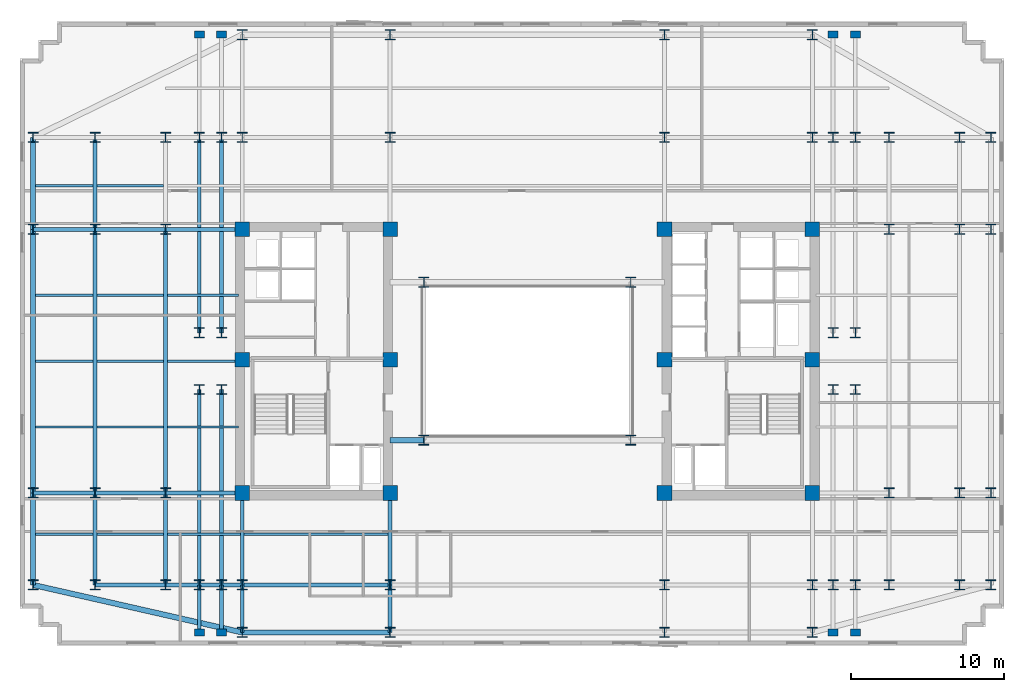
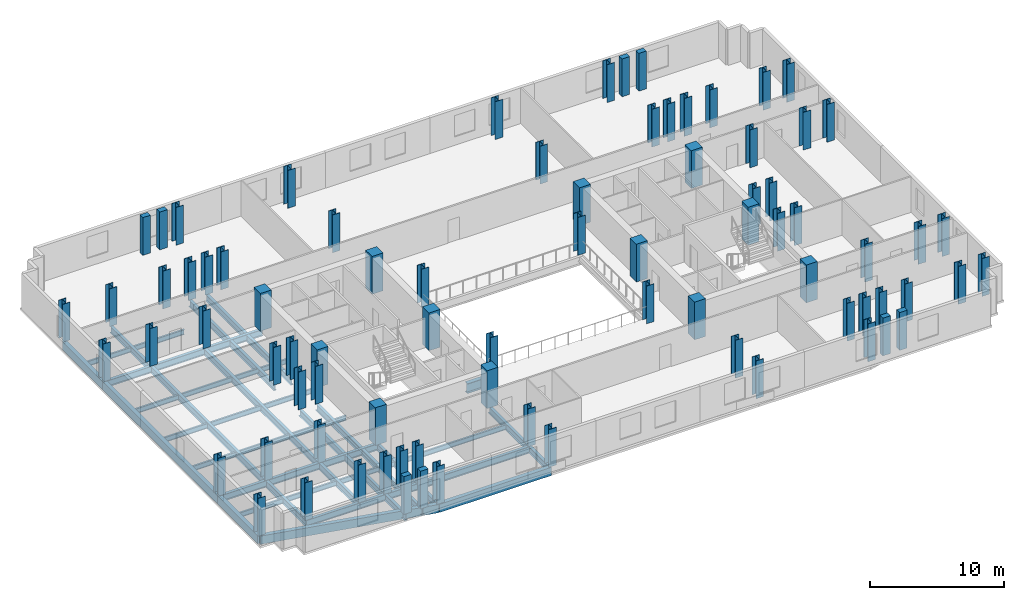
# One storey, part 1 of 10: 80 columns, 45 beams.
"""IFC4 building model written with IfcOpenShell, lengths in metres."""

import ifcopenshell
import ifcopenshell.guid

model = None  # the IFC model being written
_history = None  # IfcOwnerHistory: only IFC2X3 demands one
_inside = {}  # id of a spatial element -> (the spatial element, [elements in it])
_under = {}  # id of a project, library or spatial element -> (it, [spatial elements below it])
_declared = {}  # id of a project -> (the project, [libraries it declares])
_typed = {}  # id of a type object -> (the type object, [elements of that type])
_made_of = {}  # id of a material, layer set ... -> (it, [elements and type objects made of it])


def new_model(schema):
    """Start an empty IFC model of exactly this schema.

    Asked for "IFC4X3", IfcOpenShell would pick the latest addendum, in which some entities
    have other attributes; the version numbers below select the first issue.
    IFC2X3 requires an IfcOwnerHistory on every rooted entity: one is made here for all.
    """
    global model, _history
    if schema == "IFC4X3":
        model = ifcopenshell.file(schema_version=(4, 3, 0, 0))
    else:
        model = ifcopenshell.file(schema=schema)
    _inside.clear()
    _under.clear()
    _declared.clear()
    _typed.clear()
    _made_of.clear()
    _history = None
    if model.schema == "IFC2X3":
        org = make("IfcOrganization", Name="unknown")
        user = make(
            "IfcPersonAndOrganization",
            ThePerson=make("IfcPerson", FamilyName="unknown"),
            TheOrganization=org,
        )
        app = make(
            "IfcApplication",
            ApplicationDeveloper=org,
            Version="unknown",
            ApplicationFullName="unknown",
            ApplicationIdentifier="unknown",
        )
        _history = make(
            "IfcOwnerHistory",
            OwningUser=user,
            OwningApplication=app,
            ChangeAction="ADDED",
            CreationDate=0,
        )
    return model


def make(cls, **values):
    """One entity of the class cls with the attributes given. An attribute that is None is left unset."""
    return model.create_entity(
        cls, **{name: value for name, value in values.items() if value is not None}
    )


def rooted(cls, **values):
    """An entity with a GlobalId (a new one), such as an element, a storey or a relation."""
    return make(cls, GlobalId=ifcopenshell.guid.new(), OwnerHistory=_history, **values)


def si_unit(unit_type, name, prefix=None):
    """IfcSIUnit, for example si_unit("LENGTHUNIT", "METRE", prefix="MILLI")."""
    return make("IfcSIUnit", UnitType=unit_type, Prefix=prefix, Name=name)


def assignment(units):
    """IfcUnitAssignment: the units of a project."""
    return None if units is None else make("IfcUnitAssignment", Units=units)


def point(xyz):
    """IfcCartesianPoint."""
    return None if xyz is None else make("IfcCartesianPoint", Coordinates=xyz)


def direction(xyz):
    """IfcDirection."""
    return None if xyz is None else make("IfcDirection", DirectionRatios=xyz)


def frame(location, z_axis=None, x_axis=None):
    """IfcAxis2Placement3D, a coordinate frame: its origin and axes. An axis left out is left unset."""
    return make(
        "IfcAxis2Placement3D",
        Location=point(location),
        Axis=direction(z_axis),
        RefDirection=direction(x_axis),
    )


def frame_2d(location, x_axis=None):
    """IfcAxis2Placement2D, a coordinate frame in the plane: its origin and x axis."""
    return make(
        "IfcAxis2Placement2D", Location=point(location), RefDirection=direction(x_axis)
    )


def origin():
    """The frame at (0, 0, 0) with its axes left unset."""
    return frame((0.0, 0.0, 0.0))


def origin_2d():
    """The frame at (0, 0) in the plane with its x axis left unset."""
    return frame_2d((0.0, 0.0))


def place(relative_to, where):
    """IfcLocalPlacement: puts the frame where relative to a parent placement (None: the world)."""
    return make(
        "IfcLocalPlacement", PlacementRelTo=relative_to, RelativePlacement=where
    )


def context(
    kind, dimensions, precision=None, world=None, true_north=None, identifier=None
):
    """IfcGeometricRepresentationContext, for example the 3D "Model" context."""
    return make(
        "IfcGeometricRepresentationContext",
        ContextIdentifier=identifier,
        ContextType=kind,
        CoordinateSpaceDimension=dimensions,
        Precision=precision,
        WorldCoordinateSystem=world,
        TrueNorth=true_north,
    )


def subcontext(parent, identifier, kind, view, scale=None):
    """IfcGeometricRepresentationSubContext, for example "Body" below "Model"."""
    return make(
        "IfcGeometricRepresentationSubContext",
        ContextIdentifier=identifier,
        ContextType=kind,
        ParentContext=parent,
        TargetScale=scale,
        TargetView=view,
    )


def project(units=None, contexts=None):
    """IfcProject with its units and contexts."""
    return rooted(
        "IfcProject",
        Name="project",
        RepresentationContexts=contexts,
        UnitsInContext=assignment(units),
    )


def spatial(cls, under=None, at=None, **own):
    """A site, building, storey or space (cls), placed at a placement, below another one or the project."""
    s = rooted(cls, ObjectPlacement=at, **own)
    if under is not None:
        _under.setdefault(under.id(), (under, []))[1].append(s)
    return s


def profile(cls, at=None, kind="AREA", **sizes):
    """A parametric profile (cls). Its sizes go by their IFC names, for example OverallWidth=200.0."""
    return make(cls, ProfileType=kind, Position=at, **sizes)


def rectangle(**sizes):
    """IfcRectangleProfileDef."""
    return profile("IfcRectangleProfileDef", **sizes)


def i_section(**sizes):
    """IfcIShapeProfileDef."""
    return profile("IfcIShapeProfileDef", **sizes)


def extrude(swept, where, along, depth):
    """IfcExtrudedAreaSolid: the profile swept, set in the frame where, extruded along a direction by depth."""
    return make(
        "IfcExtrudedAreaSolid",
        SweptArea=swept,
        Position=where,
        ExtrudedDirection=direction(along),
        Depth=depth,
    )


def shape(context_of_items, identifier, shape_type, items):
    """IfcShapeRepresentation: the items that make up one representation, for example the "Body"."""
    return make(
        "IfcShapeRepresentation",
        ContextOfItems=context_of_items,
        RepresentationIdentifier=identifier,
        RepresentationType=shape_type,
        Items=items,
    )


def material(Name=None, Category=None):
    """IfcMaterial."""
    return make("IfcMaterial", Name=Name, Category=Category)


def material_profile(
    of_material, cross_section, Name=None, Category=None, Priority=None
):
    """IfcMaterialProfile: a cross section and its material."""
    return make(
        "IfcMaterialProfile",
        Name=Name,
        Material=of_material,
        Profile=cross_section,
        Priority=Priority,
        Category=Category,
    )


def profile_set(profiles, Name=None, composite=None):
    """IfcMaterialProfileSet."""
    return make(
        "IfcMaterialProfileSet",
        Name=Name,
        MaterialProfiles=profiles,
        CompositeProfile=composite,
    )


def made_of(thing, what):
    """Note that an element or type object is made of a material, layer set ...; save() writes the relation."""
    if what is not None:
        _made_of.setdefault(what.id(), (what, []))[1].append(thing)
    return thing


def type_object(cls, material=None, **own):
    """A type object (cls), such as IfcWallType, which elements share."""
    return made_of(rooted(cls, **own), material)


def element(
    cls,
    number,
    at=None,
    inside=None,
    cuts=None,
    type_object=None,
    material=None,
    context=None,
    identifier="Body",
    shape_type=None,
    held_by="IfcProductDefinitionShape",
    body=None,
    shapes=None,
    **own,
):
    """One element of the class cls, such as IfcWall. Its Tag is "e" and its number.

    at: its placement. inside: the storey or other place that contains it. cuts: it is an
    opening in that element (IfcRelVoidsElement). A single representation is given by context,
    identifier, shape_type and body (its items); several are given by shapes. held_by: the class
    of the entity that holds the representations. save() writes the other relations.
    """
    e = rooted(cls, Tag="e%d" % number, ObjectPlacement=at, **own)
    if body is not None:
        shapes = [shape(context, identifier, shape_type, body)]
    if shapes is not None:
        e.Representation = make(held_by, Representations=shapes)
    if inside is not None:
        _inside.setdefault(inside.id(), (inside, []))[1].append(e)
    if cuts is not None:
        rooted(
            "IfcRelVoidsElement", RelatingBuildingElement=cuts, RelatedOpeningElement=e
        )
    if type_object is not None:
        _typed.setdefault(type_object.id(), (type_object, []))[1].append(e)
    return made_of(e, material)


def aggregate(whole, parts):
    """IfcRelAggregates: a whole, such as a stair, and the parts it consists of."""
    return rooted("IfcRelAggregates", RelatingObject=whole, RelatedObjects=parts)


def save(model, path):
    """Write the relations noted so far, then the file.

    IfcRelAggregates (storeys below a building ...), IfcRelContainedInSpatialStructure (elements
    in a storey), IfcRelDefinesByType, IfcRelAssociatesMaterial and IfcRelDeclares: one each for
    every whole, place, type object, material and project.
    """
    for whole, parts in _under.values():
        aggregate(whole, parts)
    for where, things in _inside.values():
        rooted(
            "IfcRelContainedInSpatialStructure",
            RelatedElements=things,
            RelatingStructure=where,
        )
    for kind, things in _typed.values():
        rooted("IfcRelDefinesByType", RelatedObjects=things, RelatingType=kind)
    for what, things in _made_of.values():
        rooted("IfcRelAssociatesMaterial", RelatedObjects=things, RelatingMaterial=what)
    for by, libraries in _declared.values():
        rooted("IfcRelDeclares", RelatingContext=by, RelatedDefinitions=libraries)
    model.write(path)


model = new_model("IFC4")

# Units and contexts
model_context = context("Model", 3, precision=1e-05, world=origin(), true_north=direction((0.0, 1.0)))
body_context = subcontext(model_context, "Body", "Model", "MODEL_VIEW")
ifc_project = project(units=[si_unit("LENGTHUNIT", "METRE"), si_unit("AREAUNIT", "SQUARE_METRE"), si_unit("VOLUMEUNIT", "CUBIC_METRE"), si_unit("PLANEANGLEUNIT", "RADIAN"), si_unit("MASSUNIT", "GRAM", prefix="KILO")], contexts=[model_context])

# Site, building, storey
site_placement = place(None, origin())
site = spatial("IfcSite", under=ifc_project, at=site_placement, CompositionType="ELEMENT")
building_placement = place(site_placement, origin())
building = spatial("IfcBuilding", under=site, at=building_placement, Name="Velakula Bourse", CompositionType="ELEMENT")
storey_placement = place(building_placement, frame((0.0, 0.0, 127.75)))
storey = spatial("IfcBuildingStorey", under=building, at=storey_placement, Name="L34", CompositionType="ELEMENT", Elevation=127.75)

# Columns
ifc_material_1 = material(Name="Concrete M70 (fck 70 MPa)", Category="concrete")
ifc_material_profile_1 = material_profile(ifc_material_1, rectangle(XDim=0.949951171875, YDim=0.949951171875, at=origin_2d()), Name="Concrete M70 (fck 70 MPa)")
ifc_profile_set_1 = profile_set([ifc_material_profile_1], Name="Concrete M70 (fck 70 MPa)")
column_type_1 = type_object("IfcColumnType", Name="COL-RC-950", PredefinedType="COLUMN", material=ifc_profile_set_1)
for number, where, z_axis, x_axis, name in (
    (1, (-8.949951171875, -8.60009765625, 0.0), (0.0, 0.0, 1.0), (1.0, 0.0, 0.0), "L34 Core Boundary Column 01"),
    (2, (-8.949951171875, 0.10009765625, 0.0), (0.0, 0.0, 1.0), (1.0, 0.0, 0.0), "L34 Core Boundary Column 02"),
    (3, (-8.949951171875, 8.60009765625, 0.0), (0.0, 0.0, 1.0), (1.0, 0.0, 0.0), "L34 Core Boundary Column 03"),
    (4, (-18.60009765625, -8.60009765625, 0.0), (0.0, 0.0, 1.0), (1.0, 0.0, 0.0), "L34 Core Boundary Column 04"),
    (5, (-18.60009765625, 0.10009765625, 0.0), (0.0, 0.0, 1.0), (1.0, 0.0, 0.0), "L34 Core Boundary Column 05"),
    (6, (-18.60009765625, 8.60009765625, 0.0), (0.0, 0.0, 1.0), (1.0, 0.0, 0.0), "L34 Core Boundary Column 06"),
    (7, (8.949951171875, -8.60009765625, 0.0), (0.0, 0.0, 1.0), (1.0, 0.0, 0.0), "L34 Core Boundary Column 07"),
    (8, (8.949951171875, 0.10009765625, 0.0), (0.0, 0.0, 1.0), (1.0, 0.0, 0.0), "L34 Core Boundary Column 08"),
    (9, (8.949951171875, 8.60009765625, 0.0), (0.0, 0.0, 1.0), (1.0, 0.0, 0.0), "L34 Core Boundary Column 09"),
    (10, (18.60009765625, -8.60009765625, 0.0), (0.0, 0.0, 1.0), (1.0, 0.0, 0.0), "L34 Core Boundary Column 10"),
    (11, (18.60009765625, 0.10009765625, 0.0), (0.0, 0.0, 1.0), (1.0, 0.0, 0.0), "L34 Core Boundary Column 11"),
    (12, (18.60009765625, 8.60009765625, 0.0), (0.0, 0.0, 1.0), (1.0, 0.0, 0.0), "L34 Core Boundary Column 12"),
):
    element("IfcColumn", number, at=place(storey_placement, frame(where, z_axis=z_axis, x_axis=x_axis)), inside=storey, type_object=column_type_1, Name=name, PredefinedType="COLUMN", context=body_context, shape_type="SweptSolid", body=[
        extrude(rectangle(XDim=0.949951171875, YDim=0.949951171875, at=origin_2d()), origin(), (0.0, 0.0, 1.0), 3.449951171875),
    ])
ifc_material_2 = material(Name="Steel IS 2062 Grade 350 (E350)", Category="steel")
ifc_material_profile_2 = material_profile(ifc_material_2, i_section(OverallWidth=0.64990234375, OverallDepth=0.64990234375, WebThickness=0.028076171875, FlangeThickness=0.0400390625, at=origin_2d()), Name="Steel IS 2062 Grade 350 (E350)")
ifc_profile_set_2 = profile_set([ifc_material_profile_2], Name="Steel IS 2062 Grade 350 (E350)")
column_type_2 = type_object("IfcColumnType", Name="COL-STL-650", PredefinedType="COLUMN", material=ifc_profile_set_2)
for number, where, z_axis, x_axis, name in (
    (13, (-6.75, -5.14990234375, 0.0), (0.0, 0.0, 1.0), (1.0, 0.0, 0.0), "L34 Central Spine Column 01"),
    (14, (-6.75, 5.14990234375, 0.0), (0.0, 0.0, 1.0), (1.0, 0.0, 0.0), "L34 Central Spine Column 02"),
    (15, (6.75, -5.14990234375, 0.0), (0.0, 0.0, 1.0), (1.0, 0.0, 0.0), "L34 Central Spine Column 03"),
    (16, (6.75, 5.14990234375, 0.0), (0.0, 0.0, 1.0), (1.0, 0.0, 0.0), "L34 Central Spine Column 04"),
    (17, (-21.39990234375, -14.60009765625, 0.0), (0.0, 0.0, 1.0), (1.0, 0.0, 0.0), "L34 Tower Fulcrum Column 01"),
    (18, (-21.39990234375, 14.60009765625, 0.0), (0.0, 0.0, 1.0), (1.0, 0.0, 0.0), "L34 Tower Fulcrum Column 02"),
    (19, (-19.949951171875, -14.60009765625, 0.0), (0.0, 0.0, 1.0), (1.0, 0.0, 0.0), "L34 Tower Fulcrum Column 03"),
    (20, (-19.949951171875, 14.60009765625, 0.0), (0.0, 0.0, 1.0), (1.0, 0.0, 0.0), "L34 Tower Fulcrum Column 04"),
    (21, (-18.60009765625, -14.60009765625, 0.0), (0.0, 0.0, 1.0), (1.0, 0.0, 0.0), "L34 Tower Fulcrum Column 05"),
    (22, (-18.60009765625, 14.60009765625, 0.0), (0.0, 0.0, 1.0), (1.0, 0.0, 0.0), "L34 Tower Fulcrum Column 06"),
    (23, (-8.949951171875, -14.60009765625, 0.0), (0.0, 0.0, 1.0), (1.0, 0.0, 0.0), "L34 Tower Fulcrum Column 07"),
    (24, (-8.949951171875, 14.60009765625, 0.0), (0.0, 0.0, 1.0), (1.0, 0.0, 0.0), "L34 Tower Fulcrum Column 08"),
    (25, (8.949951171875, -14.60009765625, 0.0), (0.0, 0.0, 1.0), (1.0, 0.0, 0.0), "L34 Tower Fulcrum Column 09"),
    (26, (8.949951171875, 14.60009765625, 0.0), (0.0, 0.0, 1.0), (1.0, 0.0, 0.0), "L34 Tower Fulcrum Column 10"),
    (27, (18.60009765625, -14.60009765625, 0.0), (0.0, 0.0, 1.0), (1.0, 0.0, 0.0), "L34 Tower Fulcrum Column 11"),
    (28, (18.60009765625, 14.60009765625, 0.0), (0.0, 0.0, 1.0), (1.0, 0.0, 0.0), "L34 Tower Fulcrum Column 12"),
    (29, (19.949951171875, -14.60009765625, 0.0), (0.0, 0.0, 1.0), (1.0, 0.0, 0.0), "L34 Tower Fulcrum Column 13"),
    (30, (19.949951171875, 14.60009765625, 0.0), (0.0, 0.0, 1.0), (1.0, 0.0, 0.0), "L34 Tower Fulcrum Column 14"),
    (31, (21.39990234375, -14.60009765625, 0.0), (0.0, 0.0, 1.0), (1.0, 0.0, 0.0), "L34 Tower Fulcrum Column 15"),
    (32, (21.39990234375, 14.60009765625, 0.0), (0.0, 0.0, 1.0), (1.0, 0.0, 0.0), "L34 Tower Fulcrum Column 16"),
    (33, (-21.39990234375, -1.85009765625, 0.0), (0.0, 0.0, 1.0), (1.0, 0.0, 0.0), "L34 Tower Fulcrum Column 17"),
    (34, (-21.39990234375, 1.85009765625, 0.0), (0.0, 0.0, 1.0), (1.0, 0.0, 0.0), "L34 Tower Fulcrum Column 18"),
    (35, (-19.949951171875, -1.85009765625, 0.0), (0.0, 0.0, 1.0), (1.0, 0.0, 0.0), "L34 Tower Fulcrum Column 19"),
    (36, (-19.949951171875, 1.85009765625, 0.0), (0.0, 0.0, 1.0), (1.0, 0.0, 0.0), "L34 Tower Fulcrum Column 20"),
    (37, (19.949951171875, -1.85009765625, 0.0), (0.0, 0.0, 1.0), (1.0, 0.0, 0.0), "L34 Tower Fulcrum Column 21"),
    (38, (19.949951171875, 1.85009765625, 0.0), (0.0, 0.0, 1.0), (1.0, 0.0, 0.0), "L34 Tower Fulcrum Column 22"),
    (39, (21.39990234375, -1.85009765625, 0.0), (0.0, 0.0, 1.0), (1.0, 0.0, 0.0), "L34 Tower Fulcrum Column 23"),
    (40, (21.39990234375, 1.85009765625, 0.0), (0.0, 0.0, 1.0), (1.0, 0.0, 0.0), "L34 Tower Fulcrum Column 24"),
    (41, (-23.60009765625, -14.60009765625, 0.0), (0.0, 0.0, 1.0), (1.0, 0.0, 0.0), "L34 Mid-Wing Plumb Column 01"),
    (42, (-23.60009765625, -8.60009765625, 0.0), (0.0, 0.0, 1.0), (1.0, 0.0, 0.0), "L34 Mid-Wing Plumb Column 02"),
    (43, (-23.60009765625, 8.60009765625, 0.0), (0.0, 0.0, 1.0), (1.0, 0.0, 0.0), "L34 Mid-Wing Plumb Column 03"),
    (44, (-23.60009765625, 14.60009765625, 0.0), (0.0, 0.0, 1.0), (1.0, 0.0, 0.0), "L34 Mid-Wing Plumb Column 04"),
    (45, (23.60009765625, -14.60009765625, 0.0), (0.0, 0.0, 1.0), (1.0, 0.0, 0.0), "L34 Mid-Wing Plumb Column 05"),
    (46, (23.60009765625, -8.60009765625, 0.0), (0.0, 0.0, 1.0), (1.0, 0.0, 0.0), "L34 Mid-Wing Plumb Column 06"),
    (47, (23.60009765625, 8.60009765625, 0.0), (0.0, 0.0, 1.0), (1.0, 0.0, 0.0), "L34 Mid-Wing Plumb Column 07"),
    (48, (23.60009765625, 14.60009765625, 0.0), (0.0, 0.0, 1.0), (1.0, 0.0, 0.0), "L34 Mid-Wing Plumb Column 08"),
    (49, (-28.199951171875, -14.60009765625, 0.0), (0.0, 0.0, 1.0), (1.0, 0.0, 0.0), "L34 Lower Wing Column 01"),
    (50, (-28.199951171875, -8.60009765625, 0.0), (0.0, 0.0, 1.0), (1.0, 0.0, 0.0), "L34 Lower Wing Column 02"),
    (51, (-28.199951171875, 8.60009765625, 0.0), (0.0, 0.0, 1.0), (1.0, 0.0, 0.0), "L34 Lower Wing Column 03"),
    (52, (-28.199951171875, 14.60009765625, 0.0), (0.0, 0.0, 1.0), (1.0, 0.0, 0.0), "L34 Lower Wing Column 04"),
    (53, (28.199951171875, -14.60009765625, 0.0), (0.0, 0.0, 1.0), (1.0, 0.0, 0.0), "L34 Lower Wing Column 05"),
    (54, (28.199951171875, -8.60009765625, 0.0), (0.0, 0.0, 1.0), (1.0, 0.0, 0.0), "L34 Lower Wing Column 06"),
    (55, (28.199951171875, 8.60009765625, 0.0), (0.0, 0.0, 1.0), (1.0, 0.0, 0.0), "L34 Lower Wing Column 07"),
    (56, (28.199951171875, 14.60009765625, 0.0), (0.0, 0.0, 1.0), (1.0, 0.0, 0.0), "L34 Lower Wing Column 08"),
    (57, (-18.60009765625, -17.699951171875, 0.0), (0.0, 0.0, 1.0), (1.0, 0.0, 0.0), "L34 Block B3 Perimeter Column S1"),
    (58, (-8.949951171875, -17.699951171875, 0.0), (0.0, 0.0, 1.0), (1.0, 0.0, 0.0), "L34 Block B3 Perimeter Column S2"),
    (59, (8.949951171875, -17.699951171875, 0.0), (0.0, 0.0, 1.0), (1.0, 0.0, 0.0), "L34 Block B3 Perimeter Column S3"),
    (60, (18.60009765625, -17.699951171875, 0.0), (0.0, 0.0, 1.0), (1.0, 0.0, 0.0), "L34 Block B3 Perimeter Column S4"),
    (61, (-18.60009765625, 21.300048828125, 0.0), (0.0, 0.0, 1.0), (1.0, 0.0, 0.0), "L34 Block B3 Perimeter Column N1"),
    (62, (-8.949951171875, 21.300048828125, 0.0), (0.0, 0.0, 1.0), (1.0, 0.0, 0.0), "L34 Block B3 Perimeter Column N2"),
    (63, (8.949951171875, 21.300048828125, 0.0), (0.0, 0.0, 1.0), (1.0, 0.0, 0.0), "L34 Block B3 Perimeter Column N3"),
    (64, (18.60009765625, 21.300048828125, 0.0), (0.0, 0.0, 1.0), (1.0, 0.0, 0.0), "L34 Block B3 Perimeter Column N4"),
    (65, (-32.25, -14.60009765625, 0.0), (0.0, 0.0, 1.0), (1.0, 0.0, 0.0), "L34 Block B3 Perimeter Column W1"),
    (66, (-32.25, -8.60009765625, 0.0), (0.0, 0.0, 1.0), (1.0, 0.0, 0.0), "L34 Block B3 Perimeter Column W2"),
    (67, (-32.25, 8.60009765625, 0.0), (0.0, 0.0, 1.0), (1.0, 0.0, 0.0), "L34 Block B3 Perimeter Column W3"),
    (68, (-32.25, 14.60009765625, 0.0), (0.0, 0.0, 1.0), (1.0, 0.0, 0.0), "L34 Block B3 Perimeter Column W4"),
    (69, (30.25, -14.60009765625, 0.0), (0.0, 0.0, 1.0), (1.0, 0.0, 0.0), "L34 Block B3 Perimeter Column E1"),
    (70, (30.25, -8.60009765625, 0.0), (0.0, 0.0, 1.0), (1.0, 0.0, 0.0), "L34 Block B3 Perimeter Column E2"),
    (71, (30.25, 8.60009765625, 0.0), (0.0, 0.0, 1.0), (1.0, 0.0, 0.0), "L34 Block B3 Perimeter Column E3"),
    (72, (30.25, 14.60009765625, 0.0), (0.0, 0.0, 1.0), (1.0, 0.0, 0.0), "L34 Block B3 Perimeter Column E4"),
):
    element("IfcColumn", number, at=place(storey_placement, frame(where, z_axis=z_axis, x_axis=x_axis)), inside=storey, type_object=column_type_2, Name=name, PredefinedType="COLUMN", context=body_context, shape_type="SweptSolid", body=[
        extrude(i_section(OverallWidth=0.64990234375, OverallDepth=0.64990234375, WebThickness=0.028076171875, FlangeThickness=0.0400390625, at=origin_2d()), origin(), (0.0, 0.0, 1.0), 3.449951171875),
    ])
ifc_material_3 = material(Name="Precast concrete M45 (fck 45 MPa)", Category="concrete")
ifc_material_profile_3 = material_profile(ifc_material_3, rectangle(XDim=0.64990234375, YDim=0.449951171875, at=origin_2d()), Name="Precast concrete M45 (fck 45 MPa)")
ifc_profile_set_3 = profile_set([ifc_material_profile_3], Name="Precast concrete M45 (fck 45 MPa)")
column_type_3 = type_object("IfcColumnType", Name="PIL-BRICK-650", PredefinedType="PILASTER", material=ifc_profile_set_3)
for number, where, z_axis, x_axis, name in (
    (73, (-21.39990234375, -17.699951171875, 0.0), (0.0, 0.0, 1.0), (1.0, 0.0, 0.0), "L34 Brick Pier Pilaster 01"),
    (74, (-19.949951171875, -17.699951171875, 0.0), (0.0, 0.0, 1.0), (1.0, 0.0, 0.0), "L34 Brick Pier Pilaster 02"),
    (75, (19.949951171875, -17.699951171875, 0.0), (0.0, 0.0, 1.0), (1.0, 0.0, 0.0), "L34 Brick Pier Pilaster 03"),
    (76, (21.39990234375, -17.699951171875, 0.0), (0.0, 0.0, 1.0), (1.0, 0.0, 0.0), "L34 Brick Pier Pilaster 04"),
    (77, (-21.39990234375, 21.300048828125, 0.0), (0.0, 0.0, 1.0), (1.0, 0.0, 0.0), "L34 Brick Pier Pilaster 05"),
    (78, (-19.949951171875, 21.300048828125, 0.0), (0.0, 0.0, 1.0), (1.0, 0.0, 0.0), "L34 Brick Pier Pilaster 06"),
    (79, (19.949951171875, 21.300048828125, 0.0), (0.0, 0.0, 1.0), (1.0, 0.0, 0.0), "L34 Brick Pier Pilaster 07"),
    (80, (21.39990234375, 21.300048828125, 0.0), (0.0, 0.0, 1.0), (1.0, 0.0, 0.0), "L34 Brick Pier Pilaster 08"),
):
    element("IfcColumn", number, at=place(storey_placement, frame(where, z_axis=z_axis, x_axis=x_axis)), inside=storey, type_object=column_type_3, Name=name, PredefinedType="PILASTER", context=body_context, shape_type="SweptSolid", body=[
        extrude(rectangle(XDim=0.64990234375, YDim=0.449951171875, at=origin_2d()), origin(), (0.0, 0.0, 1.0), 3.449951171875),
    ])

# Beams
ifc_material_profile_4 = material_profile(ifc_material_2, i_section(OverallWidth=0.25, OverallDepth=0.60009765625, WebThickness=0.01123046875, FlangeThickness=0.021240234375, at=origin_2d()), Name="Steel IS 2062 Grade 350 (E350)")
ifc_profile_set_4 = profile_set([ifc_material_profile_4], Name="Steel IS 2062 Grade 350 (E350)")
beam_type_1 = type_object("IfcBeamType", Name="BM-GRD-600M", PredefinedType="BEAM", material=ifc_profile_set_4)
for number, where, z_axis, x_axis, name in (
    (81, (-18.60009765625, -14.60009765625, -0.47998046875), (0.0, 1.0, 0.0), (-1.0, 0.0, 0.0), "L34 Fulcrum Grid Girder FLC-WS"),
    (82, (-8.949951171875, -14.60009765625, -0.47998046875), (0.0, 1.0, 0.0), (-1.0, 0.0, 0.0), "L34 Fulcrum Grid Girder FLC-WCS"),
):
    element("IfcBeam", number, at=place(storey_placement, frame(where, z_axis=z_axis, x_axis=x_axis)), inside=storey, type_object=beam_type_1, Name=name, PredefinedType="BEAM", context=body_context, shape_type="SweptSolid", body=[
        extrude(i_section(OverallWidth=0.25, OverallDepth=0.60009765625, WebThickness=0.01123046875, FlangeThickness=0.021240234375, at=origin_2d()), origin(), (0.0, 0.0, 1.0), 6.0),
    ])
beam_1_placement = place(storey_placement, frame((-18.60009765625, -14.60009765625, -0.47998046875), z_axis=(1.0, 0.0, 0.0), x_axis=(0.0, 1.0, 0.0)))
element("IfcBeam", 83, at=beam_1_placement, inside=storey, type_object=beam_type_1, Name="L34 Fulcrum Grid Girder FLC-S1", PredefinedType="BEAM", context=body_context, shape_type="SweptSolid", body=[
    extrude(i_section(OverallWidth=0.25, OverallDepth=0.60009765625, WebThickness=0.01123046875, FlangeThickness=0.021240234375, at=origin_2d()), origin(), (0.0, 0.0, 1.0), 9.650146484375),
])
for number, where, z_axis, x_axis, name in (
    (84, (-21.39990234375, -14.60009765625, -0.47998046875), (0.0, 1.0, 0.0), (-1.0, 0.0, 0.0), "L34 Fulcrum Grid Girder FLC-PSW1"),
    (85, (-21.39990234375, 1.85009765625, -0.47998046875), (0.0, 1.0, 0.0), (-1.0, 0.0, 0.0), "L34 Fulcrum Grid Girder FLC-PNW1"),
    (86, (-19.949951171875, -14.60009765625, -0.47998046875), (0.0, 1.0, 0.0), (-1.0, 0.0, 0.0), "L34 Fulcrum Grid Girder FLC-PSW2"),
    (87, (-19.949951171875, 1.85009765625, -0.47998046875), (0.0, 1.0, 0.0), (-1.0, 0.0, 0.0), "L34 Fulcrum Grid Girder FLC-PNW2"),
):
    element("IfcBeam", number, at=place(storey_placement, frame(where, z_axis=z_axis, x_axis=x_axis)), inside=storey, type_object=beam_type_1, Name=name, PredefinedType="BEAM", context=body_context, shape_type="SweptSolid", body=[
        extrude(i_section(OverallWidth=0.25, OverallDepth=0.60009765625, WebThickness=0.01123046875, FlangeThickness=0.021240234375, at=origin_2d()), origin(), (0.0, 0.0, 1.0), 12.75),
    ])
for number, where, z_axis, x_axis, name in (
    (88, (-23.60009765625, -14.60009765625, -0.47998046875), (1.0, 0.0, 0.0), (0.0, 1.0, 0.0), "L34 Fulcrum Grid Girder MWG-WS1"),
    (89, (-23.60009765625, -8.60009765625, -0.47998046875), (1.0, 0.0, 0.0), (0.0, 1.0, 0.0), "L34 Fulcrum Grid Girder MWG-WS2"),
    (90, (-23.60009765625, 8.60009765625, -0.47998046875), (1.0, 0.0, 0.0), (0.0, 1.0, 0.0), "L34 Fulcrum Grid Girder MWG-WN1"),
):
    element("IfcBeam", number, at=place(storey_placement, frame(where, z_axis=z_axis, x_axis=x_axis)), inside=storey, type_object=beam_type_1, Name=name, PredefinedType="BEAM", context=body_context, shape_type="SweptSolid", body=[
        extrude(i_section(OverallWidth=0.25, OverallDepth=0.60009765625, WebThickness=0.01123046875, FlangeThickness=0.021240234375, at=origin_2d()), origin(), (0.0, 0.0, 1.0), 5.0),
    ])
beam_2_placement = place(storey_placement, frame((-23.60009765625, -14.60009765625, -0.47998046875), z_axis=(0.0, 1.0, 0.0), x_axis=(-1.0, 0.0, 0.0)))
element("IfcBeam", 91, at=beam_2_placement, inside=storey, type_object=beam_type_1, Name="L34 Fulcrum Grid Girder MWG-WNS1", PredefinedType="BEAM", context=body_context, shape_type="SweptSolid", body=[
    extrude(i_section(OverallWidth=0.25, OverallDepth=0.60009765625, WebThickness=0.01123046875, FlangeThickness=0.021240234375, at=origin_2d()), origin(), (0.0, 0.0, 1.0), 6.0),
])
beam_3_placement = place(storey_placement, frame((-23.60009765625, -8.60009765625, -0.47998046875), z_axis=(0.0, 1.0, 0.0), x_axis=(-1.0, 0.0, 0.0)))
element("IfcBeam", 92, at=beam_3_placement, inside=storey, type_object=beam_type_1, Name="L34 Fulcrum Grid Girder MWG-WNS2", PredefinedType="BEAM", context=body_context, shape_type="SweptSolid", body=[
    extrude(i_section(OverallWidth=0.25, OverallDepth=0.60009765625, WebThickness=0.01123046875, FlangeThickness=0.021240234375, at=origin_2d()), origin(), (0.0, 0.0, 1.0), 17.2001953125),
])
for number, where, z_axis, x_axis, name in (
    (93, (-28.199951171875, -14.60009765625, -0.47998046875), (1.0, 0.0, 0.0), (0.0, 1.0, 0.0), "L34 Fulcrum Grid Girder WNG-WS1"),
    (94, (-28.199951171875, -8.60009765625, -0.47998046875), (1.0, 0.0, 0.0), (0.0, 1.0, 0.0), "L34 Fulcrum Grid Girder WNG-WS2"),
    (95, (-28.199951171875, 8.60009765625, -0.47998046875), (1.0, 0.0, 0.0), (0.0, 1.0, 0.0), "L34 Fulcrum Grid Girder WNG-WN1"),
):
    element("IfcBeam", number, at=place(storey_placement, frame(where, z_axis=z_axis, x_axis=x_axis)), inside=storey, type_object=beam_type_1, Name=name, PredefinedType="BEAM", context=body_context, shape_type="SweptSolid", body=[
        extrude(i_section(OverallWidth=0.25, OverallDepth=0.60009765625, WebThickness=0.01123046875, FlangeThickness=0.021240234375, at=origin_2d()), origin(), (0.0, 0.0, 1.0), 4.599853515625),
    ])
beam_4_placement = place(storey_placement, frame((-28.199951171875, -14.60009765625, -0.47998046875), z_axis=(0.0, 1.0, 0.0), x_axis=(-1.0, 0.0, 0.0)))
element("IfcBeam", 96, at=beam_4_placement, inside=storey, type_object=beam_type_1, Name="L34 Fulcrum Grid Girder WNG-WNS1", PredefinedType="BEAM", context=body_context, shape_type="SweptSolid", body=[
    extrude(i_section(OverallWidth=0.25, OverallDepth=0.60009765625, WebThickness=0.01123046875, FlangeThickness=0.021240234375, at=origin_2d()), origin(), (0.0, 0.0, 1.0), 6.0),
])
beam_5_placement = place(storey_placement, frame((-28.199951171875, -8.60009765625, -0.47998046875), z_axis=(0.0, 1.0, 0.0), x_axis=(-1.0, 0.0, 0.0)))
element("IfcBeam", 97, at=beam_5_placement, inside=storey, type_object=beam_type_1, Name="L34 Fulcrum Grid Girder WNG-WNS2", PredefinedType="BEAM", context=body_context, shape_type="SweptSolid", body=[
    extrude(i_section(OverallWidth=0.25, OverallDepth=0.60009765625, WebThickness=0.01123046875, FlangeThickness=0.021240234375, at=origin_2d()), origin(), (0.0, 0.0, 1.0), 17.2001953125),
])
beam_6_placement = place(storey_placement, frame((-28.199951171875, 8.60009765625, -0.47998046875), z_axis=(0.0, 1.0, 0.0), x_axis=(-1.0, 0.0, 0.0)))
element("IfcBeam", 98, at=beam_6_placement, inside=storey, type_object=beam_type_1, Name="L34 Fulcrum Grid Girder WNG-WNS3", PredefinedType="BEAM", context=body_context, shape_type="SweptSolid", body=[
    extrude(i_section(OverallWidth=0.25, OverallDepth=0.60009765625, WebThickness=0.01123046875, FlangeThickness=0.021240234375, at=origin_2d()), origin(), (0.0, 0.0, 1.0), 6.0),
])
for number, where, z_axis, x_axis, name in (
    (99, (-18.60009765625, -14.60009765625, -0.47998046875), (0.0, -1.0, 0.0), (1.0, 0.0, 0.0), "L34 Perimeter Tie Girder S1"),
    (100, (-8.949951171875, -14.60009765625, -0.47998046875), (0.0, -1.0, 0.0), (1.0, 0.0, 0.0), "L34 Perimeter Tie Girder S2"),
):
    element("IfcBeam", number, at=place(storey_placement, frame(where, z_axis=z_axis, x_axis=x_axis)), inside=storey, type_object=beam_type_1, Name=name, PredefinedType="BEAM", context=body_context, shape_type="SweptSolid", body=[
        extrude(i_section(OverallWidth=0.25, OverallDepth=0.60009765625, WebThickness=0.01123046875, FlangeThickness=0.021240234375, at=origin_2d()), origin(), (0.0, 0.0, 1.0), 3.099853515625),
    ])
for number, where, z_axis, x_axis, name in (
    (101, (-28.199951171875, -8.60009765625, -0.47998046875), (-1.0, 0.0, 0.0), (0.0, -1.0, 0.0), "L34 Perimeter Tie Girder W2"),
    (102, (-28.199951171875, 8.60009765625, -0.47998046875), (-1.0, 0.0, 0.0), (0.0, -1.0, 0.0), "L34 Perimeter Tie Girder W3"),
):
    element("IfcBeam", number, at=place(storey_placement, frame(where, z_axis=z_axis, x_axis=x_axis)), inside=storey, type_object=beam_type_1, Name=name, PredefinedType="BEAM", context=body_context, shape_type="SweptSolid", body=[
        extrude(i_section(OverallWidth=0.25, OverallDepth=0.60009765625, WebThickness=0.01123046875, FlangeThickness=0.021240234375, at=origin_2d()), origin(), (0.0, 0.0, 1.0), 4.050048828125),
    ])
for number, where, z_axis, x_axis, name in (
    (103, (-21.39990234375, -14.60009765625, -0.47998046875), (0.0, -1.0, 0.0), (1.0, 0.0, 0.0), "L34 Perimeter Tie Girder P01"),
    (104, (-19.949951171875, -14.60009765625, -0.47998046875), (0.0, -1.0, 0.0), (1.0, 0.0, 0.0), "L34 Perimeter Tie Girder P02"),
):
    element("IfcBeam", number, at=place(storey_placement, frame(where, z_axis=z_axis, x_axis=x_axis)), inside=storey, type_object=beam_type_1, Name=name, PredefinedType="BEAM", context=body_context, shape_type="SweptSolid", body=[
        extrude(i_section(OverallWidth=0.25, OverallDepth=0.60009765625, WebThickness=0.01123046875, FlangeThickness=0.021240234375, at=origin_2d()), origin(), (0.0, 0.0, 1.0), 3.099853515625),
    ])
ifc_material_profile_5 = material_profile(ifc_material_2, i_section(OverallWidth=0.35009765625, OverallDepth=0.89990234375, WebThickness=0.02001953125, FlangeThickness=0.031982421875, at=origin_2d()), Name="Steel IS 2062 Grade 350 (E350)")
ifc_profile_set_5 = profile_set([ifc_material_profile_5], Name="Steel IS 2062 Grade 350 (E350)")
beam_type_2 = type_object("IfcBeamType", Name="BM-LNK-900", PredefinedType="BEAM", material=ifc_profile_set_5)
beam_7_placement = place(storey_placement, frame((-8.949951171875, -5.14990234375, -0.6298828125), z_axis=(1.0, 0.0, 0.0), x_axis=(0.0, 1.0, 0.0)))
element("IfcBeam", 105, at=beam_7_placement, inside=storey, type_object=beam_type_2, Name="L34 Primary Backbone Girder LNK-S1", PredefinedType="BEAM", context=body_context, shape_type="SweptSolid", body=[
    extrude(i_section(OverallWidth=0.35009765625, OverallDepth=0.89990234375, WebThickness=0.02001953125, FlangeThickness=0.031982421875, at=origin_2d()), origin(), (0.0, 0.0, 1.0), 2.199951171875),
])
ifc_material_profile_6 = material_profile(ifc_material_2, i_section(OverallWidth=0.14990234375, OverallDepth=0.449951171875, WebThickness=0.009521484375, FlangeThickness=0.017333984375, at=origin_2d()), Name="Steel IS 2062 Grade 350 (E350)")
ifc_profile_set_6 = profile_set([ifc_material_profile_6], Name="Steel IS 2062 Grade 350 (E350)")
beam_type_3 = type_object("IfcBeamType", Name="JST-TWR-450", PredefinedType="JOIST", material=ifc_profile_set_6)
beam_8_placement = place(storey_placement, frame((-32.074951171875, -11.300048828125, -0.405029296875), z_axis=(1.0, 0.0, 0.0), x_axis=(0.0, 1.0, 0.0)))
element("IfcBeam", 106, at=beam_8_placement, inside=storey, type_object=beam_type_3, Name="L34 Trading Floor Composite Joist 01", PredefinedType="JOIST", context=body_context, shape_type="SweptSolid", body=[
    extrude(i_section(OverallWidth=0.14990234375, OverallDepth=0.449951171875, WebThickness=0.009521484375, FlangeThickness=0.017333984375, at=origin_2d()), origin(), (0.0, 0.0, 1.0), 3.75),
])
beam_9_placement = place(storey_placement, frame((-28.074951171875, -11.300048828125, -0.405029296875), z_axis=(1.0, 0.0, 0.0), x_axis=(0.0, 1.0, 0.0)))
element("IfcBeam", 107, at=beam_9_placement, inside=storey, type_object=beam_type_3, Name="L34 Trading Floor Composite Joist 02", PredefinedType="JOIST", context=body_context, shape_type="SweptSolid", body=[
    extrude(i_section(OverallWidth=0.14990234375, OverallDepth=0.449951171875, WebThickness=0.009521484375, FlangeThickness=0.017333984375, at=origin_2d()), origin(), (0.0, 0.0, 1.0), 4.349853515625),
])
beam_10_placement = place(storey_placement, frame((-23.47509765625, -11.300048828125, -0.405029296875), z_axis=(1.0, 0.0, 0.0), x_axis=(0.0, 1.0, 0.0)))
element("IfcBeam", 108, at=beam_10_placement, inside=storey, type_object=beam_type_3, Name="L34 Trading Floor Composite Joist 03", PredefinedType="JOIST", context=body_context, shape_type="SweptSolid", body=[
    extrude(i_section(OverallWidth=0.14990234375, OverallDepth=0.449951171875, WebThickness=0.009521484375, FlangeThickness=0.017333984375, at=origin_2d()), origin(), (0.0, 0.0, 1.0), 4.75),
])
beam_11_placement = place(storey_placement, frame((-18.47509765625, -11.300048828125, -0.405029296875), z_axis=(1.0, 0.0, 0.0), x_axis=(0.0, 1.0, 0.0)))
element("IfcBeam", 109, at=beam_11_placement, inside=storey, type_object=beam_type_3, Name="L34 Trading Floor Composite Joist 04", PredefinedType="JOIST", context=body_context, shape_type="SweptSolid", body=[
    extrude(i_section(OverallWidth=0.14990234375, OverallDepth=0.449951171875, WebThickness=0.009521484375, FlangeThickness=0.017333984375, at=origin_2d()), origin(), (0.0, 0.0, 1.0), 9.400146484375),
])
beam_12_placement = place(storey_placement, frame((-32.074951171875, 11.449951171875, -0.405029296875), z_axis=(1.0, 0.0, 0.0), x_axis=(0.0, 1.0, 0.0)))
element("IfcBeam", 110, at=beam_12_placement, inside=storey, type_object=beam_type_3, Name="L34 Trading Floor Composite Joist 09", PredefinedType="JOIST", context=body_context, shape_type="SweptSolid", body=[
    extrude(i_section(OverallWidth=0.14990234375, OverallDepth=0.449951171875, WebThickness=0.009521484375, FlangeThickness=0.017333984375, at=origin_2d()), origin(), (0.0, 0.0, 1.0), 3.75),
])
beam_13_placement = place(storey_placement, frame((-28.074951171875, 11.449951171875, -0.405029296875), z_axis=(1.0, 0.0, 0.0), x_axis=(0.0, 1.0, 0.0)))
element("IfcBeam", 111, at=beam_13_placement, inside=storey, type_object=beam_type_3, Name="L34 Trading Floor Composite Joist 10", PredefinedType="JOIST", context=body_context, shape_type="SweptSolid", body=[
    extrude(i_section(OverallWidth=0.14990234375, OverallDepth=0.449951171875, WebThickness=0.009521484375, FlangeThickness=0.017333984375, at=origin_2d()), origin(), (0.0, 0.0, 1.0), 4.349853515625),
])
beam_14_placement = place(storey_placement, frame((-32.074951171875, -4.300048828125, -0.405029296875), z_axis=(1.0, 0.0, 0.0), x_axis=(0.0, 1.0, 0.0)))
element("IfcBeam", 112, at=beam_14_placement, inside=storey, type_object=beam_type_3, Name="L34 Trading Floor Composite Joist 25", PredefinedType="JOIST", context=body_context, shape_type="SweptSolid", body=[
    extrude(i_section(OverallWidth=0.14990234375, OverallDepth=0.449951171875, WebThickness=0.009521484375, FlangeThickness=0.017333984375, at=origin_2d()), origin(), (0.0, 0.0, 1.0), 3.75),
])
beam_15_placement = place(storey_placement, frame((-28.074951171875, -4.300048828125, -0.405029296875), z_axis=(1.0, 0.0, 0.0), x_axis=(0.0, 1.0, 0.0)))
element("IfcBeam", 113, at=beam_15_placement, inside=storey, type_object=beam_type_3, Name="L34 Trading Floor Composite Joist 26", PredefinedType="JOIST", context=body_context, shape_type="SweptSolid", body=[
    extrude(i_section(OverallWidth=0.14990234375, OverallDepth=0.449951171875, WebThickness=0.009521484375, FlangeThickness=0.017333984375, at=origin_2d()), origin(), (0.0, 0.0, 1.0), 4.349853515625),
])
beam_16_placement = place(storey_placement, frame((-23.47509765625, -4.300048828125, -0.405029296875), z_axis=(1.0, 0.0, 0.0), x_axis=(0.0, 1.0, 0.0)))
element("IfcBeam", 114, at=beam_16_placement, inside=storey, type_object=beam_type_3, Name="L34 Trading Floor Composite Joist 27", PredefinedType="JOIST", context=body_context, shape_type="SweptSolid", body=[
    extrude(i_section(OverallWidth=0.14990234375, OverallDepth=0.449951171875, WebThickness=0.009521484375, FlangeThickness=0.017333984375, at=origin_2d()), origin(), (0.0, 0.0, 1.0), 4.625),
])
beam_17_placement = place(storey_placement, frame((-32.074951171875, 0.0, -0.405029296875), z_axis=(1.0, 0.0, 0.0), x_axis=(0.0, 1.0, 0.0)))
element("IfcBeam", 115, at=beam_17_placement, inside=storey, type_object=beam_type_3, Name="L34 Trading Floor Composite Joist 30", PredefinedType="JOIST", context=body_context, shape_type="SweptSolid", body=[
    extrude(i_section(OverallWidth=0.14990234375, OverallDepth=0.449951171875, WebThickness=0.009521484375, FlangeThickness=0.017333984375, at=origin_2d()), origin(), (0.0, 0.0, 1.0), 3.75),
])
beam_18_placement = place(storey_placement, frame((-28.074951171875, 0.0, -0.405029296875), z_axis=(1.0, 0.0, 0.0), x_axis=(0.0, 1.0, 0.0)))
element("IfcBeam", 116, at=beam_18_placement, inside=storey, type_object=beam_type_3, Name="L34 Trading Floor Composite Joist 31", PredefinedType="JOIST", context=body_context, shape_type="SweptSolid", body=[
    extrude(i_section(OverallWidth=0.14990234375, OverallDepth=0.449951171875, WebThickness=0.009521484375, FlangeThickness=0.017333984375, at=origin_2d()), origin(), (0.0, 0.0, 1.0), 4.349853515625),
])
beam_19_placement = place(storey_placement, frame((-23.47509765625, 0.0, -0.405029296875), z_axis=(1.0, 0.0, 0.0), x_axis=(0.0, 1.0, 0.0)))
element("IfcBeam", 117, at=beam_19_placement, inside=storey, type_object=beam_type_3, Name="L34 Trading Floor Composite Joist 32", PredefinedType="JOIST", context=body_context, shape_type="SweptSolid", body=[
    extrude(i_section(OverallWidth=0.14990234375, OverallDepth=0.449951171875, WebThickness=0.009521484375, FlangeThickness=0.017333984375, at=origin_2d()), origin(), (0.0, 0.0, 1.0), 4.625),
])
beam_20_placement = place(storey_placement, frame((-32.074951171875, 4.300048828125, -0.405029296875), z_axis=(1.0, 0.0, 0.0), x_axis=(0.0, 1.0, 0.0)))
element("IfcBeam", 118, at=beam_20_placement, inside=storey, type_object=beam_type_3, Name="L34 Trading Floor Composite Joist 35", PredefinedType="JOIST", context=body_context, shape_type="SweptSolid", body=[
    extrude(i_section(OverallWidth=0.14990234375, OverallDepth=0.449951171875, WebThickness=0.009521484375, FlangeThickness=0.017333984375, at=origin_2d()), origin(), (0.0, 0.0, 1.0), 3.75),
])
beam_21_placement = place(storey_placement, frame((-28.074951171875, 4.300048828125, -0.405029296875), z_axis=(1.0, 0.0, 0.0), x_axis=(0.0, 1.0, 0.0)))
element("IfcBeam", 119, at=beam_21_placement, inside=storey, type_object=beam_type_3, Name="L34 Trading Floor Composite Joist 36", PredefinedType="JOIST", context=body_context, shape_type="SweptSolid", body=[
    extrude(i_section(OverallWidth=0.14990234375, OverallDepth=0.449951171875, WebThickness=0.009521484375, FlangeThickness=0.017333984375, at=origin_2d()), origin(), (0.0, 0.0, 1.0), 4.349853515625),
])
beam_22_placement = place(storey_placement, frame((-23.47509765625, 4.300048828125, -0.405029296875), z_axis=(1.0, 0.0, 0.0), x_axis=(0.0, 1.0, 0.0)))
element("IfcBeam", 120, at=beam_22_placement, inside=storey, type_object=beam_type_3, Name="L34 Trading Floor Composite Joist 37", PredefinedType="JOIST", context=body_context, shape_type="SweptSolid", body=[
    extrude(i_section(OverallWidth=0.14990234375, OverallDepth=0.449951171875, WebThickness=0.009521484375, FlangeThickness=0.017333984375, at=origin_2d()), origin(), (0.0, 0.0, 1.0), 4.625),
])
ifc_material_profile_7 = material_profile(ifc_material_3, rectangle(XDim=0.35009765625, YDim=0.75, at=origin_2d()), Name="Precast concrete M45 (fck 45 MPa)")
ifc_profile_set_7 = profile_set([ifc_material_profile_7], Name="Precast concrete M45 (fck 45 MPa)")
beam_type_4 = type_object("IfcBeamType", Name="SPN-BRICK-750", PredefinedType="SPANDREL", material=ifc_profile_set_7)
beam_23_placement = place(storey_placement, frame((-18.60009765625, -17.699951171875, -0.554931640625), z_axis=(1.0, 0.0, 0.0), x_axis=(0.0, 1.0, 0.0)))
element("IfcBeam", 121, at=beam_23_placement, inside=storey, type_object=beam_type_4, Name="L34 Brick-Faced Precast Spandrel S1-S2", PredefinedType="SPANDREL", context=body_context, shape_type="SweptSolid", body=[
    extrude(rectangle(XDim=0.35009765625, YDim=0.75, at=origin_2d()), origin(), (0.0, 0.0, 1.0), 9.650146484375),
])
beam_24_placement = place(storey_placement, frame((-32.25, -14.60009765625, -0.554931640625), z_axis=(0.0, 1.0, 0.0), x_axis=(-1.0, 0.0, 0.0)))
element("IfcBeam", 122, at=beam_24_placement, inside=storey, type_object=beam_type_4, Name="L34 Brick-Faced Precast Spandrel W1-W2", PredefinedType="SPANDREL", context=body_context, shape_type="SweptSolid", body=[
    extrude(rectangle(XDim=0.35009765625, YDim=0.75, at=origin_2d()), origin(), (0.0, 0.0, 1.0), 6.0),
])
beam_25_placement = place(storey_placement, frame((-32.25, -8.60009765625, -0.554931640625), z_axis=(0.0, 1.0, 0.0), x_axis=(-1.0, 0.0, 0.0)))
element("IfcBeam", 123, at=beam_25_placement, inside=storey, type_object=beam_type_4, Name="L34 Brick-Faced Precast Spandrel W2-W3", PredefinedType="SPANDREL", context=body_context, shape_type="SweptSolid", body=[
    extrude(rectangle(XDim=0.35009765625, YDim=0.75, at=origin_2d()), origin(), (0.0, 0.0, 1.0), 17.2001953125),
])
beam_26_placement = place(storey_placement, frame((-32.25, 8.60009765625, -0.554931640625), z_axis=(0.0, 1.0, 0.0), x_axis=(-1.0, 0.0, 0.0)))
element("IfcBeam", 124, at=beam_26_placement, inside=storey, type_object=beam_type_4, Name="L34 Brick-Faced Precast Spandrel W3-W4", PredefinedType="SPANDREL", context=body_context, shape_type="SweptSolid", body=[
    extrude(rectangle(XDim=0.35009765625, YDim=0.75, at=origin_2d()), origin(), (0.0, 0.0, 1.0), 6.0),
])
beam_27_placement = place(storey_placement, frame((-32.25, -14.60009765625, -0.554931640625), z_axis=(0.975169850292, -0.221458264875, 0.0), x_axis=(0.221458264875, 0.975169850292, 0.0)))
element("IfcBeam", 125, at=beam_27_placement, inside=storey, type_object=beam_type_4, Name="L34 Brick-Faced Precast Spandrel W1-S1", PredefinedType="SPANDREL", context=body_context, shape_type="SweptSolid", body=[
    extrude(rectangle(XDim=0.35009765625, YDim=0.75, at=origin_2d()), origin(), (0.0, 0.0, 1.0), 13.99755859375),
])

save(model, "model.ifc")
